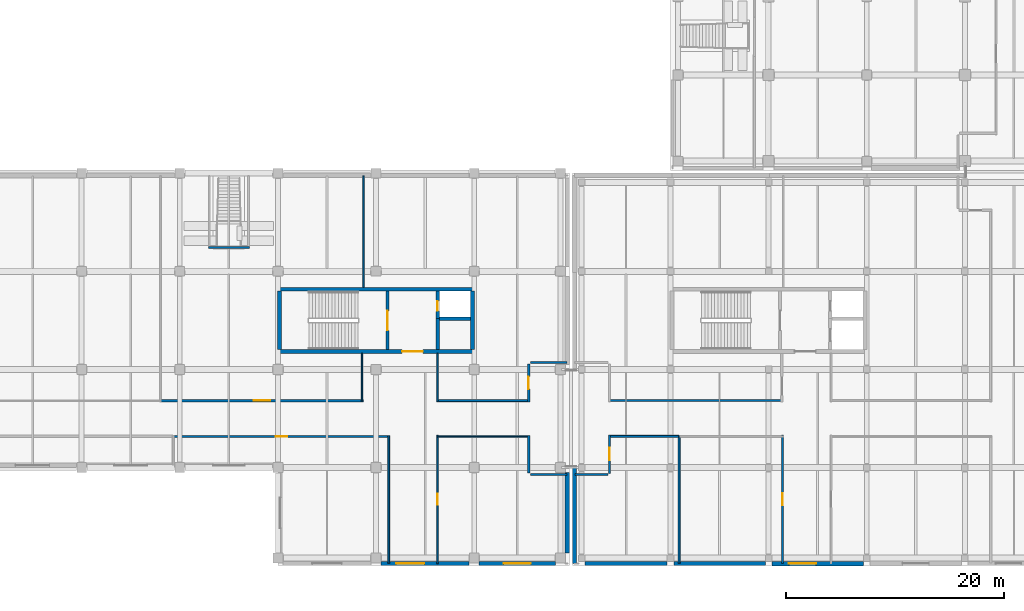
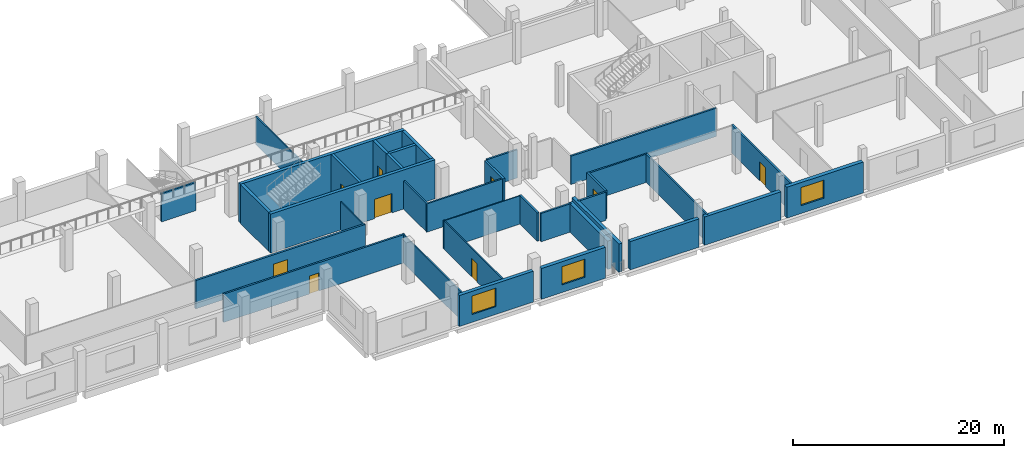
# One storey, part 60 of 100: 35 walls, 9 doors, 3 windows, 12 openings.
"""IFC4 building model written with IfcOpenShell, lengths in metres."""

from ifc_helpers import new_model, si_unit, direction, frame, frame_2d, origin, place, context, subcontext, project, spatial, rectangle, extrude, material, layer, layer_set, type_object, element, fill, save


model = new_model("IFC4")

# Units and contexts
model_context = context("Model", 3, precision=1e-05, world=origin(), true_north=direction((0.0, 1.0)))
body_context = subcontext(model_context, "Body", "Model", "MODEL_VIEW")
ifc_project = project(units=[si_unit("LENGTHUNIT", "METRE"), si_unit("AREAUNIT", "SQUARE_METRE"), si_unit("VOLUMEUNIT", "CUBIC_METRE"), si_unit("PLANEANGLEUNIT", "RADIAN"), si_unit("MASSUNIT", "GRAM", prefix="KILO"), si_unit("THERMODYNAMICTEMPERATUREUNIT", "KELVIN"), si_unit("POWERUNIT", "WATT")], contexts=[model_context])

# Site, building, storey
site_placement = place(None, origin())
site = spatial("IfcSite", under=ifc_project, at=site_placement, CompositionType="ELEMENT")
building_placement = place(site_placement, origin())
building = spatial("IfcBuilding", under=site, at=building_placement, Name="Sindhuravela Promenade Stadium", CompositionType="ELEMENT")
storey_placement = place(building_placement, frame((0.0, 0.0, 4.800048828125)))
storey = spatial("IfcBuildingStorey", under=building, at=storey_placement, Name="L01", CompositionType="ELEMENT", Elevation=4.800048828125)

# Wall
ifc_material_1 = material(Name="Terracotta clay brick masonry (15 MPa)", Category="masonry")
ifc_layer_1 = layer(ifc_material_1, 0.360107421875)
ifc_layer_set_1 = layer_set([ifc_layer_1], Name="Terracotta clay brick masonry (15 MPa)")
wall_type_1 = type_object("IfcWallType", Name="EX-WL-BRK360", PredefinedType="SOLIDWALL", material=ifc_layer_set_1)
wall_1_placement = place(storey_placement, frame((162.199951171875, 0.199951171875, 0.0), z_axis=(0.0, 0.0, 1.0), x_axis=(0.0, 1.0, 0.0)))
element("IfcWall", 1, at=wall_1_placement, inside=storey, type_object=wall_type_1, Name="Exterior masonry wall EW05 Pavilion SE L01", PredefinedType="SOLIDWALL", context=body_context, shape_type="SweptSolid", body=[
    extrude(rectangle(XDim=8.900146484375, YDim=0.360107421875, at=frame_2d((4.4501953125, 0.0))), origin(), (0.0, 0.0, 1.0), 3.280029296875),
])

# Wall, opening, window
ifc_layer_2 = layer(ifc_material_1, 0.3798828125)
ifc_layer_set_2 = layer_set([ifc_layer_2], Name="Terracotta clay brick masonry (15 MPa)")
wall_type_2 = type_object("IfcWallType", Name="EX-WL-BRK380", PredefinedType="SOLIDWALL", material=ifc_layer_set_2)
wall_2_placement = place(storey_placement, frame((152.544921875, 0.199951171875, 0.0), z_axis=(0.0, 0.0, 1.0), x_axis=(-1.0, 0.0, 0.0)))
wall_2 = element("IfcWall", 2, at=wall_2_placement, inside=storey, type_object=wall_type_2, Name="Exterior masonry wall EW04 SOUTH L01", PredefinedType="SOLIDWALL", context=body_context, shape_type="SweptSolid", body=[
    extrude(rectangle(XDim=8.08984375, YDim=0.3798828125, at=frame_2d((4.044921875, 0.0))), origin(), (0.0, 0.0, 1.0), 3.579833984375),
])
opening_1_placement = place(wall_2_placement, frame((4.112548828125, 0.0, 0.89990234375)))
opening_1 = element("IfcOpeningElement", 3, at=opening_1_placement, cuts=wall_2, Name="Opening W16", PredefinedType="OPENING", context=body_context, shape_type="SweptSolid", body=[
    extrude(rectangle(XDim=2.60009765625, YDim=2.14990234375, at=frame_2d((1.300048828125, 1.074951171875))), frame((0.0, 0.199951171875, 0.0), z_axis=(0.0, -1.0, 0.0), x_axis=(1.0, 0.0, 0.0)), (0.0, 0.0, 1.0), 0.39990234375),
])
ifc_material_2 = material(Name="Tempered laminated low-E glass", Category="glass")
window_type_1 = type_object("IfcWindowType", Name="WN-FAC-2600x2150", PartitioningType="DOUBLE_PANEL_VERTICAL", PredefinedType="WINDOW", material=ifc_material_2)
window_1_placement = place(opening_1_placement, origin())
window_1 = element("IfcWindow", 4, at=window_1_placement, inside=storey, type_object=window_type_1, Name="Window W16 SOUTH L01", OverallHeight=2.14990234375, OverallWidth=2.60009765625, PartitioningType="DOUBLE_PANEL_VERTICAL", PredefinedType="WINDOW", context=body_context, shape_type="SweptSolid", body=[
    extrude(rectangle(XDim=2.60009765625, YDim=2.14990234375, at=frame_2d((1.300048828125, 1.074951171875))), frame((0.0, 0.030029296875, 0.0), z_axis=(0.0, -1.0, 0.0), x_axis=(1.0, 0.0, 0.0)), (0.0, 0.0, 1.0), 0.06005859375),
])
fill(opening_1, window_1)

# Wall
wall_3_placement = place(storey_placement, frame((170.695068359375, 0.199951171875, 0.0), z_axis=(0.0, 0.0, 1.0), x_axis=(-1.0, 0.0, 0.0)))
element("IfcWall", 5, at=wall_3_placement, inside=storey, type_object=wall_type_2, Name="Exterior masonry wall EW04 Pavilion SE L01", PredefinedType="SOLIDWALL", context=body_context, shape_type="SweptSolid", body=[
    extrude(rectangle(XDim=7.5400390625, YDim=0.3798828125, at=frame_2d((3.77001953125, 0.0))), origin(), (0.0, 0.0, 1.0), 3.280029296875),
])

# Wall, opening, window
ifc_layer_3 = layer(ifc_material_1, 0.39990234375)
ifc_layer_set_3 = layer_set([ifc_layer_3], Name="Terracotta clay brick masonry (15 MPa)")
wall_type_3 = type_object("IfcWallType", Name="EX-WL-BRK400", PredefinedType="SOLIDWALL", material=ifc_layer_set_3)
wall_4_placement = place(storey_placement, frame((160.445068359375, 0.199951171875, 0.0), z_axis=(0.0, 0.0, 1.0), x_axis=(-1.0, 0.0, 0.0)))
wall_4 = element("IfcWall", 6, at=wall_4_placement, inside=storey, type_object=wall_type_3, Name="Exterior masonry wall EW03 SOUTH L01", PredefinedType="SOLIDWALL", context=body_context, shape_type="SweptSolid", body=[
    extrude(rectangle(XDim=6.989990234375, YDim=0.39990234375, at=frame_2d((3.4951171875, 0.0))), origin(), (0.0, 0.0, 1.0), 3.579833984375),
])
opening_2_placement = place(wall_4_placement, frame((2.2451171875, 0.0, 0.89990234375)))
opening_2 = element("IfcOpeningElement", 7, at=opening_2_placement, cuts=wall_4, Name="Opening W15", PredefinedType="OPENING", context=body_context, shape_type="SweptSolid", body=[
    extrude(rectangle(XDim=2.5, YDim=2.10009765625, at=frame_2d((1.25, 1.050048828125))), frame((0.0, 0.2099609375, 0.0), z_axis=(0.0, -1.0, 0.0), x_axis=(1.0, 0.0, 0.0)), (0.0, 0.0, 1.0), 0.419921875),
])
window_type_2 = type_object("IfcWindowType", Name="WN-FAC-2500x2100", PartitioningType="DOUBLE_PANEL_VERTICAL", PredefinedType="WINDOW", material=ifc_material_2)
window_2_placement = place(opening_2_placement, origin())
window_2 = element("IfcWindow", 8, at=window_2_placement, inside=storey, type_object=window_type_2, Name="Window W15 SOUTH L01", OverallHeight=2.10009765625, OverallWidth=2.5, PartitioningType="DOUBLE_PANEL_VERTICAL", PredefinedType="WINDOW", context=body_context, shape_type="SweptSolid", body=[
    extrude(rectangle(XDim=2.5, YDim=2.10009765625, at=frame_2d((1.25, 1.050048828125))), frame((0.0, 0.030029296875, 0.0), z_axis=(0.0, -1.0, 0.0), x_axis=(1.0, 0.0, 0.0)), (0.0, 0.0, 1.0), 0.06005859375),
])
fill(opening_2, window_2)

# Walls
wall_5_placement = place(storey_placement, frame((179.695068359375, 0.199951171875, 0.0), z_axis=(0.0, 0.0, 1.0), x_axis=(-1.0, 0.0, 0.0)))
element("IfcWall", 9, at=wall_5_placement, inside=storey, type_object=wall_type_3, Name="Exterior masonry wall EW03 Pavilion SE L01", PredefinedType="SOLIDWALL", context=body_context, shape_type="SweptSolid", body=[
    extrude(rectangle(XDim=8.39013671875, YDim=0.39990234375, at=frame_2d((4.195068359375, 0.0))), origin(), (0.0, 0.0, 1.0), 3.280029296875),
])
ifc_layer_4 = layer(ifc_material_1, 0.419921875)
ifc_layer_set_4 = layer_set([ifc_layer_4], Name="Terracotta clay brick masonry (15 MPa)")
wall_type_4 = type_object("IfcWallType", Name="EX-WL-BRK420", PredefinedType="SOLIDWALL", material=ifc_layer_set_4)
wall_6_placement = place(storey_placement, frame((161.550048828125, 8.544921875, 0.0), z_axis=(0.0, 0.0, 1.0), x_axis=(0.0, -1.0, 0.0)))
element("IfcWall", 10, at=wall_6_placement, inside=storey, type_object=wall_type_4, Name="Exterior masonry wall EW02 SOUTH L01", PredefinedType="SOLIDWALL", context=body_context, shape_type="SweptSolid", body=[
    extrude(rectangle(XDim=7.389892578125, YDim=0.419921875, at=frame_2d((3.69482421875, 0.0))), origin(), (0.0, 0.0, 1.0), 3.280029296875),
])

# Wall, opening, window
wall_7_placement = place(storey_placement, frame((188.695068359375, 0.199951171875, 0.0), z_axis=(0.0, 0.0, 1.0), x_axis=(-1.0, 0.0, 0.0)))
wall_7 = element("IfcWall", 11, at=wall_7_placement, inside=storey, type_object=wall_type_4, Name="Exterior masonry wall EW02 Pavilion SE L01", PredefinedType="SOLIDWALL", context=body_context, shape_type="SweptSolid", body=[
    extrude(rectangle(XDim=8.39013671875, YDim=0.419921875, at=frame_2d((4.195068359375, 0.0))), origin(), (0.0, 0.0, 1.0), 3.579833984375),
])
opening_3_placement = place(wall_7_placement, frame((4.33740234375, 0.0, 0.89990234375)))
opening_3 = element("IfcOpeningElement", 12, at=opening_3_placement, cuts=wall_7, Name="Opening W15", PredefinedType="OPENING", context=body_context, shape_type="SweptSolid", body=[
    extrude(rectangle(XDim=2.5, YDim=2.10009765625, at=frame_2d((1.25, 1.050048828125))), frame((0.0, 0.219970703125, 0.0), z_axis=(0.0, -1.0, 0.0), x_axis=(1.0, 0.0, 0.0)), (0.0, 0.0, 1.0), 0.43994140625),
])
window_3_placement = place(opening_3_placement, origin())
window_3 = element("IfcWindow", 13, at=window_3_placement, inside=storey, type_object=window_type_2, Name="Window W15 Pavilion SE L01", OverallHeight=2.10009765625, OverallWidth=2.5, PartitioningType="DOUBLE_PANEL_VERTICAL", PredefinedType="WINDOW", context=body_context, shape_type="SweptSolid", body=[
    extrude(rectangle(XDim=2.5, YDim=2.10009765625, at=frame_2d((1.25, 1.050048828125))), frame((0.0, 0.030029296875, 0.0), z_axis=(0.0, -1.0, 0.0), x_axis=(1.0, 0.0, 0.0)), (0.0, 0.0, 1.0), 0.06005859375),
])
fill(opening_3, window_3)

# Walls
ifc_material_3 = material(Name="Fire-rated gypsum partition board", Category="gypsum")
ifc_layer_5 = layer(ifc_material_3, 0.110107421875)
ifc_layer_set_5 = layer_set([ifc_layer_5], Name="Fire-rated gypsum partition board")
wall_type_5 = type_object("IfcWallType", Name="IN-WL-PAR110", PredefinedType="PARTITIONING", material=ifc_layer_set_5)
wall_8_placement = place(storey_placement, frame((149.56005859375, 11.860107421875, 0.0), z_axis=(0.0, 0.0, 1.0), x_axis=(1.0, 0.0, 0.0)))
element("IfcWall", 14, at=wall_8_placement, inside=storey, type_object=wall_type_5, Name="Interior partition IW06 SOUTH L01", PredefinedType="PARTITIONING", context=body_context, shape_type="SweptSolid", body=[
    extrude(rectangle(XDim=8.510009765625, YDim=0.110107421875, at=frame_2d((4.2548828125, 0.0))), origin(), (0.0, 0.0, 1.0), 3.280029296875),
])
ifc_layer_6 = layer(ifc_material_3, 0.1298828125)
ifc_layer_set_6 = layer_set([ifc_layer_6], Name="Fire-rated gypsum partition board")
wall_type_6 = type_object("IfcWallType", Name="IN-WL-PAR130", PredefinedType="PARTITIONING", material=ifc_layer_set_6)
wall_9_placement = place(storey_placement, frame((142.71337890625, 19.472900390625, 0.0), z_axis=(0.0, 0.0, 1.0), x_axis=(0.0, -1.0, 0.0)))
element("IfcWall", 15, at=wall_9_placement, inside=storey, type_object=wall_type_6, Name="Interior partition IW05 SOUTH L01", PredefinedType="PARTITIONING", context=body_context, shape_type="SweptSolid", body=[
    extrude(rectangle(XDim=4.412841796875, YDim=0.1298828125, at=frame_2d((2.20654296875, 0.0))), origin(), (0.0, 0.0, 1.0), 3.280029296875),
])

# Wall, opening, door
wall_10_placement = place(storey_placement, frame((149.639892578125, 11.97998046875, 0.0), z_axis=(0.0, 0.0, 1.0), x_axis=(0.0, -1.0, 0.0)))
wall_10 = element("IfcWall", 16, at=wall_10_placement, inside=storey, type_object=wall_type_6, Name="Corridor partition IW05 Public Toilet Block South L01", PredefinedType="PARTITIONING", context=body_context, shape_type="SweptSolid", body=[
    extrude(rectangle(XDim=11.780029296875, YDim=0.1298828125, at=frame_2d((5.89013671875, 0.0))), origin(), (0.0, 0.0, 1.0), 3.280029296875),
])
opening_4_placement = place(wall_10_placement, frame((5.389892578125, 0.0, 0.0)))
opening_4 = element("IfcOpeningElement", 17, at=opening_4_placement, cuts=wall_10, Name="Opening ID08", PredefinedType="OPENING", context=body_context, shape_type="SweptSolid", body=[
    extrude(rectangle(XDim=1.0, YDim=2.10009765625, at=frame_2d((0.5, 1.050048828125))), frame((0.0, 0.074951171875, 0.0), z_axis=(0.0, -1.0, 0.0), x_axis=(1.0, 0.0, 0.0)), (0.0, 0.0, 1.0), 0.14990234375),
])
ifc_material_4 = material(Name="Architectural teak timber leaf", Category="wood")
door_type_1 = type_object("IfcDoorType", Name="DR-INT-1000x2100", OperationType="NOTDEFINED", PredefinedType="DOOR", material=ifc_material_4)
door_1_placement = place(opening_4_placement, origin())
door_1 = element("IfcDoor", 18, at=door_1_placement, inside=storey, type_object=door_type_1, Name="Public Toilet Block South L01 door", OperationType="SINGLE_SWING_LEFT", OverallHeight=2.10009765625, OverallWidth=1.0, PredefinedType="DOOR", context=body_context, shape_type="SweptSolid", body=[
    extrude(rectangle(XDim=1.0, YDim=2.10009765625, at=frame_2d((0.5, 1.050048828125))), frame((0.0, 0.02490234375, 0.0), z_axis=(0.0, -1.0, 0.0), x_axis=(1.0, 0.0, 0.0)), (0.0, 0.0, 1.0), 0.050048828125),
])
fill(opening_4, door_1)

# Walls
ifc_layer_7 = layer(ifc_material_3, 0.14990234375)
ifc_layer_set_7 = layer_set([ifc_layer_7], Name="Fire-rated gypsum partition board")
wall_type_7 = type_object("IfcWallType", Name="IN-WL-PAR150", PredefinedType="PARTITIONING", material=ifc_layer_set_7)
wall_11_placement = place(storey_placement, frame((142.833251953125, 35.760009765625, 0.0), z_axis=(0.0, 0.0, 1.0), x_axis=(0.0, -1.0, 0.0)))
element("IfcWall", 19, at=wall_11_placement, inside=storey, type_object=wall_type_7, Name="Interior partition IW04 SOUTH L01", PredefinedType="PARTITIONING", context=body_context, shape_type="SweptSolid", body=[
    extrude(rectangle(XDim=10.23291015625, YDim=0.14990234375, at=frame_2d((5.116455078125, 0.0))), origin(), (0.0, 0.0, 1.0), 3.280029296875),
])
wall_12_placement = place(storey_placement, frame((149.639892578125, 15.06005859375, 0.0), z_axis=(0.0, 0.0, 1.0), x_axis=(0.0, 1.0, 0.0)))
element("IfcWall", 20, at=wall_12_placement, inside=storey, type_object=wall_type_7, Name="Interior partition IW04 SOUTH L01", PredefinedType="PARTITIONING", context=body_context, shape_type="SweptSolid", body=[
    extrude(rectangle(XDim=4.412841796875, YDim=0.14990234375, at=frame_2d((2.20654296875, 0.0))), origin(), (0.0, 0.0, 1.0), 3.280029296875),
])
wall_13_placement = place(storey_placement, frame((145.159912109375, 11.93994140625, 0.0), z_axis=(0.0, 0.0, 1.0), x_axis=(0.0, -1.0, 0.0)))
element("IfcWall", 21, at=wall_13_placement, inside=storey, type_object=wall_type_7, Name="Interior partition IW04 SOUTH L01", PredefinedType="PARTITIONING", context=body_context, shape_type="SweptSolid", body=[
    extrude(rectangle(XDim=11.699951171875, YDim=0.14990234375, at=frame_2d((5.85009765625, 0.0))), origin(), (0.0, 0.0, 1.0), 3.280029296875),
])
ifc_layer_8 = layer(ifc_material_3, 0.175048828125)
ifc_layer_set_8 = layer_set([ifc_layer_8], Name="Fire-rated gypsum partition board")
wall_type_8 = type_object("IfcWallType", Name="IN-WL-PAR175", PredefinedType="PARTITIONING", material=ifc_layer_set_8)
wall_14_placement = place(storey_placement, frame((158.070068359375, 15.139892578125, 0.0), z_axis=(0.0, 0.0, 1.0), x_axis=(-1.0, 0.0, 0.0)))
element("IfcWall", 22, at=wall_14_placement, inside=storey, type_object=wall_type_8, Name="Interior partition IW03 SOUTH L01", PredefinedType="PARTITIONING", context=body_context, shape_type="SweptSolid", body=[
    extrude(rectangle(XDim=8.510009765625, YDim=0.175048828125, at=frame_2d((4.2548828125, 0.0))), origin(), (0.0, 0.0, 1.0), 3.280029296875),
])
wall_15_placement = place(storey_placement, frame((171.7900390625, 0.239990234375, 0.0), z_axis=(0.0, 0.0, 1.0), x_axis=(0.0, 1.0, 0.0)))
element("IfcWall", 23, at=wall_15_placement, inside=storey, type_object=wall_type_8, Name="Interior partition IW03 Pavilion SE L01", PredefinedType="PARTITIONING", context=body_context, shape_type="SweptSolid", body=[
    extrude(rectangle(XDim=11.699951171875, YDim=0.175048828125, at=frame_2d((5.85009765625, 0.0))), origin(), (0.0, 0.0, 1.0), 3.280029296875),
])
wall_16_placement = place(storey_placement, frame((165.330078125, 11.860107421875, 0.0), z_axis=(0.0, 0.0, 1.0), x_axis=(1.0, 0.0, 0.0)))
element("IfcWall", 24, at=wall_16_placement, inside=storey, type_object=wall_type_8, Name="Interior partition IW03 Pavilion SE L01", PredefinedType="PARTITIONING", context=body_context, shape_type="SweptSolid", body=[
    extrude(rectangle(XDim=6.419921875, YDim=0.175048828125, at=frame_2d((3.2099609375, 0.0))), origin(), (0.0, 0.0, 1.0), 3.280029296875),
])
ifc_layer_9 = layer(ifc_material_3, 0.195068359375)
ifc_layer_set_9 = layer_set([ifc_layer_9], Name="Fire-rated gypsum partition board")
wall_type_9 = type_object("IfcWallType", Name="IN-WL-PAR195", PredefinedType="PARTITIONING", material=ifc_layer_set_9)
wall_17_placement = place(storey_placement, frame((128.6201171875, 29.199951171875, 0.0), z_axis=(0.0, 0.0, 1.0), x_axis=(1.0, 0.0, 0.0)))
element("IfcWall", 25, at=wall_17_placement, inside=storey, type_object=wall_type_9, Name="Interior partition IW02 SOUTH L01", PredefinedType="PARTITIONING", context=body_context, shape_type="SweptSolid", body=[
    extrude(rectangle(XDim=3.759765625, YDim=0.195068359375, at=frame_2d((1.8798828125, 0.0))), origin(), (0.0, 0.0, 1.0), 3.280029296875),
])
wall_18_placement = place(storey_placement, frame((161.510009765625, 18.639892578125, 0.0), z_axis=(0.0, 0.0, 1.0), x_axis=(-1.0, 0.0, 0.0)))
element("IfcWall", 26, at=wall_18_placement, inside=storey, type_object=wall_type_9, Name="Interior partition IW02 SOUTH L01", PredefinedType="PARTITIONING", context=body_context, shape_type="SweptSolid", body=[
    extrude(rectangle(XDim=3.360107421875, YDim=0.195068359375, at=frame_2d((1.68017578125, 0.0))), origin(), (0.0, 0.0, 1.0), 3.280029296875),
])

# Wall, opening, door
wall_19_placement = place(storey_placement, frame((145.280029296875, 11.860107421875, 0.0), z_axis=(0.0, 0.0, 1.0), x_axis=(-1.0, 0.0, 0.0)))
wall_19 = element("IfcWall", 27, at=wall_19_placement, inside=storey, type_object=wall_type_9, Name="Corridor partition IW02 Accessible WC South L01", PredefinedType="PARTITIONING", context=body_context, shape_type="SweptSolid", body=[
    extrude(rectangle(XDim=19.880126953125, YDim=0.195068359375, at=frame_2d((9.93994140625, 0.0))), origin(), (0.0, 0.0, 1.0), 3.280029296875),
])
opening_5_placement = place(wall_19_placement, frame((9.4150390625, 0.0, 0.0)))
opening_5 = element("IfcOpeningElement", 28, at=opening_5_placement, cuts=wall_19, Name="Opening ID07", PredefinedType="OPENING", context=body_context, shape_type="SweptSolid", body=[
    extrude(rectangle(XDim=1.050048828125, YDim=2.10009765625, at=frame_2d((0.52490234375, 1.050048828125))), frame((0.0, 0.107421875, 0.0), z_axis=(0.0, -1.0, 0.0), x_axis=(1.0, 0.0, 0.0)), (0.0, 0.0, 1.0), 0.215087890625),
])
door_type_2 = type_object("IfcDoorType", Name="DR-INT-1050x2100", OperationType="NOTDEFINED", PredefinedType="DOOR", material=ifc_material_4)
door_2_placement = place(opening_5_placement, origin())
door_2 = element("IfcDoor", 29, at=door_2_placement, inside=storey, type_object=door_type_2, Name="Accessible WC South L01 door", OperationType="SINGLE_SWING_RIGHT", OverallHeight=2.10009765625, OverallWidth=1.050048828125, PredefinedType="DOOR", context=body_context, shape_type="SweptSolid", body=[
    extrude(rectangle(XDim=1.050048828125, YDim=2.10009765625, at=frame_2d((0.52490234375, 1.050048828125))), frame((0.0, 0.02490234375, 0.0), z_axis=(0.0, -1.0, 0.0), x_axis=(1.0, 0.0, 0.0)), (0.0, 0.0, 1.0), 0.050048828125),
])
fill(opening_5, door_2)

# Walls
wall_20_placement = place(storey_placement, frame((158.14990234375, 8.360107421875, 0.0), z_axis=(0.0, 0.0, 1.0), x_axis=(1.0, 0.0, 0.0)))
element("IfcWall", 30, at=wall_20_placement, inside=storey, type_object=wall_type_9, Name="Interior partition IW02 SOUTH L01", PredefinedType="PARTITIONING", context=body_context, shape_type="SweptSolid", body=[
    extrude(rectangle(XDim=3.360107421875, YDim=0.195068359375, at=frame_2d((1.68017578125, 0.0))), origin(), (0.0, 0.0, 1.0), 3.280029296875),
])
wall_21_placement = place(storey_placement, frame((181.300048828125, 15.139892578125, 0.0), z_axis=(0.0, 0.0, 1.0), x_axis=(-1.0, 0.0, 0.0)))
element("IfcWall", 31, at=wall_21_placement, inside=storey, type_object=wall_type_9, Name="Interior partition IW02 Pavilion SE L01", PredefinedType="PARTITIONING", context=body_context, shape_type="SweptSolid", body=[
    extrude(rectangle(XDim=15.969970703125, YDim=0.195068359375, at=frame_2d((7.98486328125, 0.0))), origin(), (0.0, 0.0, 1.0), 3.280029296875),
])

# Wall, opening, door
wall_22_placement = place(storey_placement, frame((181.260009765625, 0.199951171875, 0.0), z_axis=(0.0, 0.0, 1.0), x_axis=(0.0, 1.0, 0.0)))
wall_22 = element("IfcWall", 32, at=wall_22_placement, inside=storey, type_object=wall_type_9, Name="Corridor partition IW02 Supporters Information Lounge SE 3", PredefinedType="PARTITIONING", context=body_context, shape_type="SweptSolid", body=[
    extrude(rectangle(XDim=11.780029296875, YDim=0.195068359375, at=frame_2d((5.89013671875, 0.0))), origin(), (0.0, 0.0, 1.0), 3.280029296875),
])
opening_6_placement = place(wall_22_placement, frame((5.330078125, 0.0, 0.0)))
opening_6 = element("IfcOpeningElement", 33, at=opening_6_placement, cuts=wall_22, Name="Opening ID13", PredefinedType="OPENING", context=body_context, shape_type="SweptSolid", body=[
    extrude(rectangle(XDim=1.1201171875, YDim=2.219970703125, at=frame_2d((0.56005859375, 1.10986328125))), frame((0.0, 0.107421875, 0.0), z_axis=(0.0, -1.0, 0.0), x_axis=(1.0, 0.0, 0.0)), (0.0, 0.0, 1.0), 0.215087890625),
])
door_type_3 = type_object("IfcDoorType", Name="DR-INT-1120x2220", OperationType="NOTDEFINED", PredefinedType="DOOR", material=ifc_material_4)
door_3_placement = place(opening_6_placement, origin())
door_3 = element("IfcDoor", 34, at=door_3_placement, inside=storey, type_object=door_type_3, Name="Supporters Information Lounge SE 3 door", OperationType="SINGLE_SWING_LEFT", OverallHeight=2.219970703125, OverallWidth=1.1201171875, PredefinedType="DOOR", context=body_context, shape_type="SweptSolid", body=[
    extrude(rectangle(XDim=1.1201171875, YDim=2.219970703125, at=frame_2d((0.56005859375, 1.10986328125))), frame((0.0, 0.02490234375, 0.0), z_axis=(0.0, -1.0, 0.0), x_axis=(1.0, 0.0, 0.0)), (0.0, 0.0, 1.0), 0.050048828125),
])
fill(opening_6, door_3)

# Wall
wall_23_placement = place(storey_placement, frame((162.239990234375, 8.360107421875, 0.0), z_axis=(0.0, 0.0, 1.0), x_axis=(1.0, 0.0, 0.0)))
element("IfcWall", 35, at=wall_23_placement, inside=storey, type_object=wall_type_9, Name="Interior partition IW02 Pavilion SE L01", PredefinedType="PARTITIONING", context=body_context, shape_type="SweptSolid", body=[
    extrude(rectangle(XDim=3.010009765625, YDim=0.195068359375, at=frame_2d((1.5048828125, 0.0))), origin(), (0.0, 0.0, 1.0), 3.280029296875),
])

# Wall, opening, door
ifc_layer_10 = layer(ifc_material_3, 0.219970703125)
ifc_layer_set_10 = layer_set([ifc_layer_10], Name="Fire-rated gypsum partition board")
wall_type_10 = type_object("IfcWallType", Name="IN-WL-PAR220", PredefinedType="PARTITIONING", material=ifc_layer_set_10)
wall_24_placement = place(storey_placement, frame((124.23681640625, 15.139892578125, 0.0), z_axis=(0.0, 0.0, 1.0), x_axis=(1.0, 0.0, 0.0)))
wall_24 = element("IfcWall", 36, at=wall_24_placement, inside=storey, type_object=wall_type_10, Name="Corridor partition IW01 Concourse Beverage Kiosk South B", PredefinedType="PARTITIONING", context=body_context, shape_type="SweptSolid", body=[
    extrude(rectangle(XDim=18.596435546875, YDim=0.219970703125, at=frame_2d((9.29833984375, 0.0))), origin(), (0.0, 0.0, 1.0), 3.280029296875),
])
opening_7_placement = place(wall_24_placement, frame((8.523193359375, 0.0, 0.0)))
opening_7 = element("IfcOpeningElement", 37, at=opening_7_placement, cuts=wall_24, Name="Opening ID02", PredefinedType="OPENING", context=body_context, shape_type="SweptSolid", body=[
    extrude(rectangle(XDim=1.550048828125, YDim=2.199951171875, at=frame_2d((0.77490234375, 1.10009765625))), frame((0.0, 0.119873046875, 0.0), z_axis=(0.0, -1.0, 0.0), x_axis=(1.0, 0.0, 0.0)), (0.0, 0.0, 1.0), 0.239990234375),
])
door_type_4 = type_object("IfcDoorType", Name="DR-INT-1550x2200", OperationType="DOUBLE_DOOR_SINGLE_SWING", PredefinedType="DOOR", material=ifc_material_4)
door_4_placement = place(opening_7_placement, origin())
door_4 = element("IfcDoor", 38, at=door_4_placement, inside=storey, type_object=door_type_4, Name="Concourse Beverage Kiosk South B door", OperationType="DOUBLE_DOOR_SINGLE_SWING", OverallHeight=2.199951171875, OverallWidth=1.550048828125, PredefinedType="DOOR", context=body_context, shape_type="SweptSolid", body=[
    extrude(rectangle(XDim=1.550048828125, YDim=2.199951171875, at=frame_2d((0.77490234375, 1.10009765625))), frame((0.0, 0.02490234375, 0.0), z_axis=(0.0, -1.0, 0.0), x_axis=(1.0, 0.0, 0.0)), (0.0, 0.0, 1.0), 0.050048828125),
])
fill(opening_7, door_4)

wall_25_placement = place(storey_placement, frame((157.989990234375, 15.02001953125, 0.0), z_axis=(0.0, 0.0, 1.0), x_axis=(0.0, 1.0, 0.0)))
wall_25 = element("IfcWall", 39, at=wall_25_placement, inside=storey, type_object=wall_type_10, Name="Corridor partition IW01 South Family Supporters Lounge", PredefinedType="PARTITIONING", context=body_context, shape_type="SweptSolid", body=[
    extrude(rectangle(XDim=3.5, YDim=0.219970703125, at=frame_2d((1.75, 0.0))), origin(), (0.0, 0.0, 1.0), 3.280029296875),
])
opening_8_placement = place(wall_25_placement, frame((1.175048828125, 0.0, 0.0)))
opening_8 = element("IfcOpeningElement", 40, at=opening_8_placement, cuts=wall_25, Name="Opening ID05", PredefinedType="OPENING", context=body_context, shape_type="SweptSolid", body=[
    extrude(rectangle(XDim=1.14990234375, YDim=2.14990234375, at=frame_2d((0.574951171875, 1.074951171875))), frame((0.0, 0.119873046875, 0.0), z_axis=(0.0, -1.0, 0.0), x_axis=(1.0, 0.0, 0.0)), (0.0, 0.0, 1.0), 0.239990234375),
])
door_type_5 = type_object("IfcDoorType", Name="DR-INT-1150x2150", OperationType="NOTDEFINED", PredefinedType="DOOR", material=ifc_material_4)
door_5_placement = place(opening_8_placement, origin())
door_5 = element("IfcDoor", 41, at=door_5_placement, inside=storey, type_object=door_type_5, Name="South Family Supporters Lounge door", OperationType="SINGLE_SWING_LEFT", OverallHeight=2.14990234375, OverallWidth=1.14990234375, PredefinedType="DOOR", context=body_context, shape_type="SweptSolid", body=[
    extrude(rectangle(XDim=1.14990234375, YDim=2.14990234375, at=frame_2d((0.574951171875, 1.074951171875))), frame((0.0, 0.02490234375, 0.0), z_axis=(0.0, -1.0, 0.0), x_axis=(1.0, 0.0, 0.0)), (0.0, 0.0, 1.0), 0.050048828125),
])
fill(opening_8, door_5)

# Wall
wall_26_placement = place(storey_placement, frame((157.989990234375, 11.93994140625, 0.0), z_axis=(0.0, 0.0, 1.0), x_axis=(0.0, -1.0, 0.0)))
element("IfcWall", 42, at=wall_26_placement, inside=storey, type_object=wall_type_10, Name="Interior partition IW01 SOUTH L01", PredefinedType="PARTITIONING", context=body_context, shape_type="SweptSolid", body=[
    extrude(rectangle(XDim=3.419921875, YDim=0.219970703125, at=frame_2d((1.7099609375, 0.0))), origin(), (0.0, 0.0, 1.0), 3.280029296875),
])

# Wall, opening, door
wall_27_placement = place(storey_placement, frame((165.409912109375, 11.97998046875, 0.0), z_axis=(0.0, 0.0, 1.0), x_axis=(0.0, -1.0, 0.0)))
wall_27 = element("IfcWall", 43, at=wall_27_placement, inside=storey, type_object=wall_type_10, Name="Corridor partition IW01 Accessible WC SE L01 5", PredefinedType="PARTITIONING", context=body_context, shape_type="SweptSolid", body=[
    extrude(rectangle(XDim=3.5, YDim=0.219970703125, at=frame_2d((1.75, 0.0))), origin(), (0.0, 0.0, 1.0), 3.280029296875),
])
opening_9_placement = place(wall_27_placement, frame((1.175048828125, 0.0, 0.0)))
opening_9 = element("IfcOpeningElement", 44, at=opening_9_placement, cuts=wall_27, Name="Opening ID05", PredefinedType="OPENING", context=body_context, shape_type="SweptSolid", body=[
    extrude(rectangle(XDim=1.14990234375, YDim=2.14990234375, at=frame_2d((0.574951171875, 1.074951171875))), frame((0.0, 0.119873046875, 0.0), z_axis=(0.0, -1.0, 0.0), x_axis=(1.0, 0.0, 0.0)), (0.0, 0.0, 1.0), 0.239990234375),
])
door_6_placement = place(opening_9_placement, origin())
door_6 = element("IfcDoor", 45, at=door_6_placement, inside=storey, type_object=door_type_5, Name="Accessible WC SE L01 5 door", OperationType="SINGLE_SWING_LEFT", OverallHeight=2.14990234375, OverallWidth=1.14990234375, PredefinedType="DOOR", context=body_context, shape_type="SweptSolid", body=[
    extrude(rectangle(XDim=1.14990234375, YDim=2.14990234375, at=frame_2d((0.574951171875, 1.074951171875))), frame((0.0, 0.02490234375, 0.0), z_axis=(0.0, -1.0, 0.0), x_axis=(1.0, 0.0, 0.0)), (0.0, 0.0, 1.0), 0.050048828125),
])
fill(opening_9, door_6)

ifc_material_5 = material(Name="Concrete M50", Category="concrete")
ifc_layer_11 = layer(ifc_material_5, 0.300048828125)
ifc_layer_set_11 = layer_set([ifc_layer_11], Name="Concrete M50")
wall_type_11 = type_object("IfcWallType", Name="RC-SW-300", PredefinedType="SHEAR", material=ifc_layer_set_11)
wall_28_placement = place(storey_placement, frame((145.050048828125, 19.824951171875, 0.0), z_axis=(0.0, 0.0, 1.0), x_axis=(0.0, 1.0, 0.0)))
wall_28 = element("IfcWall", 46, at=wall_28_placement, inside=storey, type_object=wall_type_11, Name="Core shear wall C12-ST (L01)", PredefinedType="SHEAR", context=body_context, shape_type="SweptSolid", body=[
    extrude(rectangle(XDim=5.35009765625, YDim=0.300048828125, at=frame_2d((2.675048828125, 0.0))), origin(), (0.0, 0.0, 1.0), 4.52001953125),
])
opening_10_placement = place(wall_28_placement, frame((1.75, 0.0, 0.0)))
opening_10 = element("IfcOpeningElement", 47, at=opening_10_placement, cuts=wall_28, Name="Opening FD01", PredefinedType="OPENING", context=body_context, shape_type="SweptSolid", body=[
    extrude(rectangle(XDim=1.800048828125, YDim=2.25, at=frame_2d((0.89990234375, 1.125))), frame((0.0, 0.159912109375, 0.0), z_axis=(0.0, -1.0, 0.0), x_axis=(1.0, 0.0, 0.0)), (0.0, 0.0, 1.0), 0.320068359375),
])
ifc_material_6 = material(Name="Architectural wrought steel E350", Category="steel")
door_type_6 = type_object("IfcDoorType", Name="DR-CORE-1800x2250", OperationType="DOUBLE_DOOR_SINGLE_SWING", PredefinedType="DOOR", material=ifc_material_6)
door_7_placement = place(opening_10_placement, origin())
door_7 = element("IfcDoor", 48, at=door_7_placement, inside=storey, type_object=door_type_6, Name="Stair ST12 lobby fire door (L01)", OperationType="DOUBLE_DOOR_SINGLE_SWING", OverallHeight=2.25, OverallWidth=1.800048828125, PredefinedType="DOOR", context=body_context, shape_type="SweptSolid", body=[
    extrude(rectangle(XDim=1.800048828125, YDim=2.25, at=frame_2d((0.89990234375, 1.125))), frame((0.0, 0.02490234375, 0.0), z_axis=(0.0, -1.0, 0.0), x_axis=(1.0, 0.0, 0.0)), (0.0, 0.0, 1.0), 0.050048828125),
])
fill(opening_10, door_7)

# Wall
wall_29_placement = place(storey_placement, frame((149.64990234375, 19.824951171875, 0.0), z_axis=(0.0, 0.0, 1.0), x_axis=(0.0, 1.0, 0.0)))
element("IfcWall", 49, at=wall_29_placement, inside=storey, type_object=wall_type_11, Name="Core shear wall C12-LFT (L01)", PredefinedType="SHEAR", context=body_context, shape_type="SweptSolid", body=[
    extrude(rectangle(XDim=2.824951171875, YDim=0.300048828125, at=frame_2d((1.41259765625, 0.0))), origin(), (0.0, 0.0, 1.0), 4.52001953125),
])

# Wall, opening, door
wall_30_placement = place(storey_placement, frame((149.64990234375, 22.64990234375, 0.0), z_axis=(0.0, 0.0, 1.0), x_axis=(0.0, 1.0, 0.0)))
wall_30 = element("IfcWall", 50, at=wall_30_placement, inside=storey, type_object=wall_type_11, Name="Core shear wall C12-RSR (L01)", PredefinedType="SHEAR", context=body_context, shape_type="SweptSolid", body=[
    extrude(rectangle(XDim=2.525146484375, YDim=0.300048828125, at=frame_2d((1.2626953125, 0.0))), origin(), (0.0, 0.0, 1.0), 4.52001953125),
])
opening_11_placement = place(wall_30_placement, frame((0.72509765625, 0.0, 0.0)))
opening_11 = element("IfcOpeningElement", 51, at=opening_11_placement, cuts=wall_30, Name="Opening FD03", PredefinedType="OPENING", context=body_context, shape_type="SweptSolid", body=[
    extrude(rectangle(XDim=0.89990234375, YDim=2.10009765625, at=frame_2d((0.449951171875, 1.050048828125))), frame((0.0, 0.159912109375, 0.0), z_axis=(0.0, -1.0, 0.0), x_axis=(1.0, 0.0, 0.0)), (0.0, 0.0, 1.0), 0.320068359375),
])
door_type_7 = type_object("IfcDoorType", Name="DR-RSR-900x2100", OperationType="NOTDEFINED", PredefinedType="DOOR", material=ifc_material_6)
door_8_placement = place(opening_11_placement, origin())
door_8 = element("IfcDoor", 52, at=door_8_placement, inside=storey, type_object=door_type_7, Name="Riser shaft access door C12 (L01)", OperationType="SINGLE_SWING_RIGHT", OverallHeight=2.10009765625, OverallWidth=0.89990234375, PredefinedType="DOOR", context=body_context, shape_type="SweptSolid", body=[
    extrude(rectangle(XDim=0.89990234375, YDim=2.10009765625, at=frame_2d((0.449951171875, 1.050048828125))), frame((0.0, 0.02490234375, 0.0), z_axis=(0.0, -1.0, 0.0), x_axis=(1.0, 0.0, 0.0)), (0.0, 0.0, 1.0), 0.050048828125),
])
fill(opening_11, door_8)

# Wall
wall_31_placement = place(storey_placement, frame((149.800048828125, 22.64990234375, 0.0), z_axis=(0.0, 0.0, 1.0), x_axis=(1.0, 0.0, 0.0)))
element("IfcWall", 53, at=wall_31_placement, inside=storey, type_object=wall_type_11, Name="Core shear wall C12-DIV (L01)", PredefinedType="SHEAR", context=body_context, shape_type="SweptSolid", body=[
    extrude(rectangle(XDim=2.875, YDim=0.300048828125, at=frame_2d((1.4375, 0.0))), origin(), (0.0, 0.0, 1.0), 4.52001953125),
])

# Wall, opening, door
ifc_layer_12 = layer(ifc_material_5, 0.35009765625)
ifc_layer_set_12 = layer_set([ifc_layer_12], Name="Concrete M50")
wall_type_12 = type_object("IfcWallType", Name="RC-SW-350", PredefinedType="SHEAR", material=ifc_layer_set_12)
wall_32_placement = place(storey_placement, frame((135.0, 19.64990234375, 0.0), z_axis=(0.0, 0.0, 1.0), x_axis=(1.0, 0.0, 0.0)))
wall_32 = element("IfcWall", 54, at=wall_32_placement, inside=storey, type_object=wall_type_12, Name="Core shear wall C12-S (L01)", PredefinedType="SHEAR", context=body_context, shape_type="SweptSolid", body=[
    extrude(rectangle(XDim=18.0, YDim=0.35009765625, at=frame_2d((9.0, 0.0))), origin(), (0.0, 0.0, 1.0), 4.52001953125),
])
opening_12_placement = place(wall_32_placement, frame((11.39990234375, 0.0, 0.0)))
opening_12 = element("IfcOpeningElement", 55, at=opening_12_placement, cuts=wall_32, Name="Opening FD02", PredefinedType="OPENING", context=body_context, shape_type="SweptSolid", body=[
    extrude(rectangle(XDim=1.89990234375, YDim=2.25, at=frame_2d((0.949951171875, 1.125))), frame((0.0, 0.18505859375, 0.0), z_axis=(0.0, -1.0, 0.0), x_axis=(1.0, 0.0, 0.0)), (0.0, 0.0, 1.0), 0.3701171875),
])
door_type_8 = type_object("IfcDoorType", Name="DR-LOB-1900x2250", OperationType="DOUBLE_DOOR_SINGLE_SWING", PredefinedType="DOOR", material=ifc_material_6)
door_9_placement = place(opening_12_placement, origin())
door_9 = element("IfcDoor", 56, at=door_9_placement, inside=storey, type_object=door_type_8, Name="Protected lobby entrance door C12 (L01)", OperationType="DOUBLE_DOOR_SINGLE_SWING", OverallHeight=2.25, OverallWidth=1.89990234375, PredefinedType="DOOR", context=body_context, shape_type="SweptSolid", body=[
    extrude(rectangle(XDim=1.89990234375, YDim=2.25, at=frame_2d((0.949951171875, 1.125))), frame((0.0, 0.02490234375, 0.0), z_axis=(0.0, -1.0, 0.0), x_axis=(1.0, 0.0, 0.0)), (0.0, 0.0, 1.0), 0.050048828125),
])
fill(opening_12, door_9)

# Walls
wall_33_placement = place(storey_placement, frame((153.0, 25.35009765625, 0.0), z_axis=(0.0, 0.0, 1.0), x_axis=(-1.0, 0.0, 0.0)))
element("IfcWall", 57, at=wall_33_placement, inside=storey, type_object=wall_type_12, Name="Core shear wall C12-N (L01)", PredefinedType="SHEAR", context=body_context, shape_type="SweptSolid", body=[
    extrude(rectangle(XDim=18.0, YDim=0.35009765625, at=frame_2d((9.0, 0.0))), origin(), (0.0, 0.0, 1.0), 4.52001953125),
])
for number, where, z_axis, x_axis, name in (
    (58, (135.14990234375, 25.175048828125, 0.0), (0.0, 0.0, 1.0), (0.0, -1.0, 0.0), "Core shear wall C12-W (L01)"),
    (59, (152.85009765625, 19.824951171875, 0.0), (0.0, 0.0, 1.0), (0.0, 1.0, 0.0), "Core shear wall C12-E (L01)"),
):
    element("IfcWall", number, at=place(storey_placement, frame(where, z_axis=z_axis, x_axis=x_axis)), inside=storey, type_object=wall_type_12, Name=name, PredefinedType="SHEAR", context=body_context, shape_type="SweptSolid", body=[
        extrude(rectangle(XDim=5.35009765625, YDim=0.35009765625, at=frame_2d((2.675048828125, 0.0))), origin(), (0.0, 0.0, 1.0), 4.52001953125),
    ])

save(model, "model.ifc")
